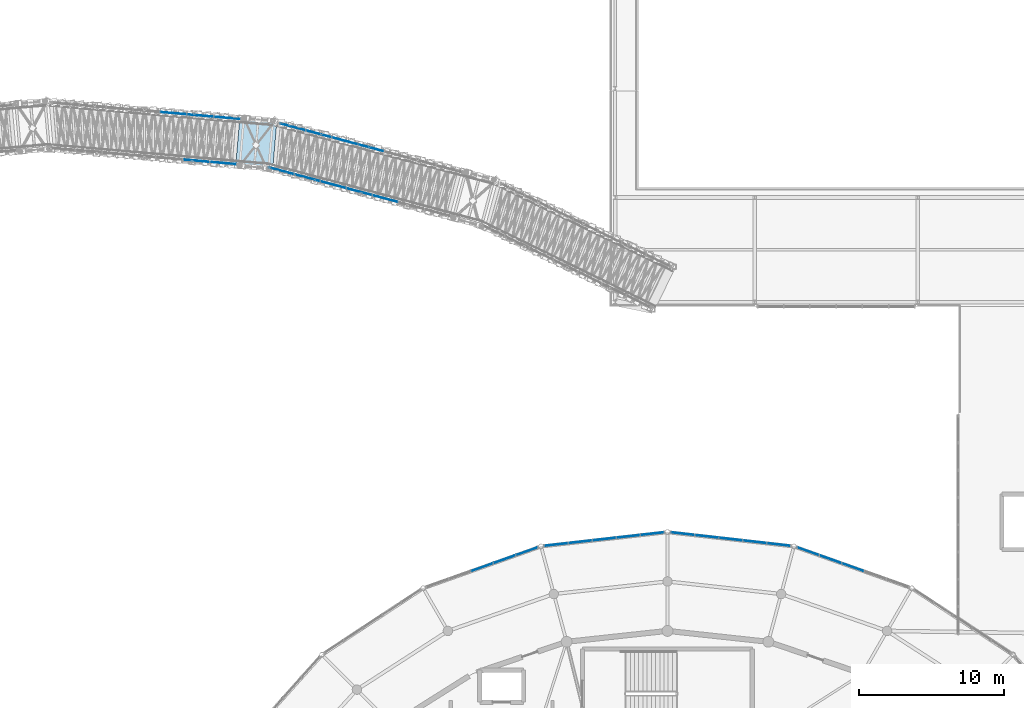
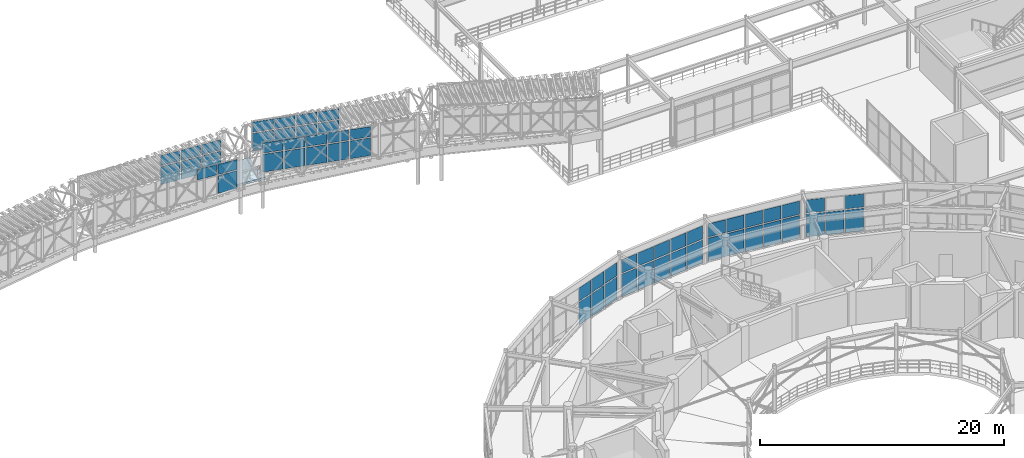
# One storey, part 88 of 144: 58 plates, 1 slab, 9 elements without a shape of their own.
"""IFC4 building model written with IfcOpenShell, lengths in metres."""

from ifc_helpers import new_model, si_unit, direction, frame, origin, origin_2d, place, context, subcontext, project, spatial, polyline, rectangle, outline, extrude, material, layer, layer_set, type_object, element, aggregate, save


model = new_model("IFC4")

# Units and contexts
model_context = context("Model", 3, precision=1e-05, world=origin(), true_north=direction((0.0, 1.0)))
body_context = subcontext(model_context, "Body", "Model", "MODEL_VIEW")
ifc_project = project(units=[si_unit("LENGTHUNIT", "METRE"), si_unit("AREAUNIT", "SQUARE_METRE"), si_unit("VOLUMEUNIT", "CUBIC_METRE"), si_unit("PLANEANGLEUNIT", "RADIAN"), si_unit("MASSUNIT", "GRAM", prefix="KILO")], contexts=[model_context])

# Site, building, storey
site_placement = place(None, origin())
site = spatial("IfcSite", under=ifc_project, at=site_placement, CompositionType="ELEMENT")
building_placement = place(site_placement, origin())
building = spatial("IfcBuilding", under=site, at=building_placement, Name="Cinderbank Siding Concert Hall", CompositionType="ELEMENT")
storey_placement = place(building_placement, frame((0.0, 0.0, 5.39990234375)))
storey = spatial("IfcBuildingStorey", under=building, at=storey_placement, Name="L02", CompositionType="ELEMENT", Elevation=5.39990234375)

# Curtain wall, plates
ifc_material_1 = material(Name="Anodised aluminium alloy 6063-T6", Category="aluminium")
curtain_wall_type_1 = type_object("IfcCurtainWallType", Name="CW-08 Unitised Acoustic Curtain Wall 6400x3800", PredefinedType="NOTDEFINED", material=ifc_material_1)
curtain_wall_1_placement = place(storey_placement, origin())
curtain_wall_1 = element("IfcCurtainWall", 1, at=curtain_wall_1_placement, inside=storey, type_object=curtain_wall_type_1, Name="L02 Curtain Wall CW-08 #8", PredefinedType="NOTDEFINED")
ifc_material_2 = material(Name="Double-glazed laminated acoustic glass", Category="glass")
ifc_layer_1 = layer(ifc_material_2, 0.035888671875)
ifc_layer_set_1 = layer_set([ifc_layer_1], Name="Double-glazed laminated acoustic glass")
plate_type_1 = type_object("IfcPlateType", Name="CP-01 Glazed Curtain Panel 1800x2200", PredefinedType="CURTAIN_PANEL", material=ifc_layer_set_1)
plate_1_placement = place(storey_placement, frame((112.322265625, 71.47021484375, 0.1201171875), z_axis=(0.0, 0.0, 1.0), x_axis=(-0.942365662238, -0.334584755532, 0.0)))
plate_1 = element("IfcPlate", 2, at=plate_1_placement, type_object=plate_type_1, Name="CW-L02-008 Glazed Panel 0-0", PredefinedType="CURTAIN_PANEL", context=body_context, shape_type="SweptSolid", body=[
    extrude(rectangle(XDim=1.529052734375, YDim=0.035888671875, at=origin_2d()), origin(), (0.0, 0.0, 1.0), 2.26708984375),
])
plate_2_placement = place(storey_placement, frame((112.322265625, 71.47021484375, 2.50732421875), z_axis=(0.0, 0.0, 1.0), x_axis=(-0.942365662238, -0.334584755532, 0.0)))
plate_2 = element("IfcPlate", 3, at=plate_2_placement, type_object=plate_type_1, Name="CW-L02-008 Glazed Panel 0-1", PredefinedType="CURTAIN_PANEL", context=body_context, shape_type="SweptSolid", body=[
    extrude(rectangle(XDim=1.529052734375, YDim=0.035888671875, at=origin_2d()), origin(), (0.0, 0.0, 1.0), 1.31982421875),
])
plate_3_placement = place(storey_placement, frame((110.787109375, 70.92529296875, 0.1201171875), z_axis=(0.0, 0.0, 1.0), x_axis=(-0.942365662238, -0.334584755532, 0.0)))
plate_3 = element("IfcPlate", 4, at=plate_3_placement, type_object=plate_type_1, Name="CW-L02-008 Glazed Panel 1-0", PredefinedType="CURTAIN_PANEL", context=body_context, shape_type="SweptSolid", body=[
    extrude(rectangle(XDim=1.529052734375, YDim=0.035888671875, at=origin_2d()), origin(), (0.0, 0.0, 1.0), 2.26708984375),
])
plate_4_placement = place(storey_placement, frame((110.787109375, 70.92529296875, 2.50732421875), z_axis=(0.0, 0.0, 1.0), x_axis=(-0.942365662238, -0.334584755532, 0.0)))
plate_4 = element("IfcPlate", 5, at=plate_4_placement, type_object=plate_type_1, Name="CW-L02-008 Glazed Panel 1-1", PredefinedType="CURTAIN_PANEL", context=body_context, shape_type="SweptSolid", body=[
    extrude(rectangle(XDim=1.529052734375, YDim=0.035888671875, at=origin_2d()), origin(), (0.0, 0.0, 1.0), 1.31982421875),
])
plate_5_placement = place(storey_placement, frame((109.251953125, 70.380126953125, 0.1201171875), z_axis=(0.0, 0.0, 1.0), x_axis=(-0.942365662238, -0.334584755532, 0.0)))
plate_5 = element("IfcPlate", 6, at=plate_5_placement, type_object=plate_type_1, Name="CW-L02-008 Glazed Panel 2-0", PredefinedType="CURTAIN_PANEL", context=body_context, shape_type="SweptSolid", body=[
    extrude(rectangle(XDim=1.529052734375, YDim=0.035888671875, at=origin_2d()), origin(), (0.0, 0.0, 1.0), 2.26708984375),
])
plate_6_placement = place(storey_placement, frame((109.251953125, 70.380126953125, 2.50732421875), z_axis=(0.0, 0.0, 1.0), x_axis=(-0.942365662238, -0.334584755532, 0.0)))
plate_6 = element("IfcPlate", 7, at=plate_6_placement, type_object=plate_type_1, Name="CW-L02-008 Glazed Panel 2-1", PredefinedType="CURTAIN_PANEL", context=body_context, shape_type="SweptSolid", body=[
    extrude(rectangle(XDim=1.529052734375, YDim=0.035888671875, at=origin_2d()), origin(), (0.0, 0.0, 1.0), 1.31982421875),
])
aggregate(curtain_wall_1, [plate_1, plate_2, plate_3, plate_4, plate_5, plate_6])

curtain_wall_type_2 = type_object("IfcCurtainWallType", Name="CW-15 Unitised Acoustic Curtain Wall 12800x3200", PredefinedType="NOTDEFINED", material=ifc_material_1)
curtain_wall_2_placement = place(storey_placement, origin())
curtain_wall_2 = element("IfcCurtainWall", 8, at=curtain_wall_2_placement, inside=storey, type_object=curtain_wall_type_2, Name="L02 Curtain Wall CW-15 #160", PredefinedType="NOTDEFINED")
plate_7_placement = place(storey_placement, frame((95.430419921875, 97.640380859375, 3.480224609375), z_axis=(0.0, 0.0, 1.0), x_axis=(0.96592613165, -0.258817905479, 0.0)))
plate_7 = element("IfcPlate", 9, at=plate_7_placement, type_object=plate_type_1, Name="CW-L02-160 Glazed Panel 0-0", PredefinedType="CURTAIN_PANEL", context=body_context, shape_type="SweptSolid", body=[
    extrude(rectangle(XDim=1.755126953125, YDim=0.035888671875, at=origin_2d()), origin(), (0.0, 0.0, 1.0), 1.77294921875),
])
plate_8_placement = place(storey_placement, frame((95.430419921875, 97.640380859375, 5.373046875), z_axis=(0.0, 0.0, 1.0), x_axis=(0.96592613165, -0.258817905479, 0.0)))
plate_8 = element("IfcPlate", 10, at=plate_8_placement, type_object=plate_type_1, Name="CW-L02-160 Glazed Panel 0-1", PredefinedType="CURTAIN_PANEL", context=body_context, shape_type="SweptSolid", body=[
    extrude(rectangle(XDim=1.755126953125, YDim=0.035888671875, at=origin_2d()), origin(), (0.0, 0.0, 1.0), 1.01708984375),
])
plate_9_placement = place(storey_placement, frame((97.222412109375, 97.160400390625, 3.480224609375), z_axis=(0.0, 0.0, 1.0), x_axis=(0.96592613165, -0.258817905479, 0.0)))
plate_9 = element("IfcPlate", 11, at=plate_9_placement, type_object=plate_type_1, Name="CW-L02-160 Glazed Panel 1-0", PredefinedType="CURTAIN_PANEL", context=body_context, shape_type="SweptSolid", body=[
    extrude(rectangle(XDim=1.755126953125, YDim=0.035888671875, at=origin_2d()), origin(), (0.0, 0.0, 1.0), 1.77294921875),
])
plate_10_placement = place(storey_placement, frame((97.222412109375, 97.160400390625, 5.373046875), z_axis=(0.0, 0.0, 1.0), x_axis=(0.96592613165, -0.258817905479, 0.0)))
plate_10 = element("IfcPlate", 12, at=plate_10_placement, type_object=plate_type_1, Name="CW-L02-160 Glazed Panel 1-1", PredefinedType="CURTAIN_PANEL", context=body_context, shape_type="SweptSolid", body=[
    extrude(rectangle(XDim=1.755126953125, YDim=0.035888671875, at=origin_2d()), origin(), (0.0, 0.0, 1.0), 1.01708984375),
])
plate_11_placement = place(storey_placement, frame((99.014404296875, 96.68017578125, 3.480224609375), z_axis=(0.0, 0.0, 1.0), x_axis=(0.96592613165, -0.258817905479, 0.0)))
plate_11 = element("IfcPlate", 13, at=plate_11_placement, type_object=plate_type_1, Name="CW-L02-160 Glazed Panel 2-0", PredefinedType="CURTAIN_PANEL", context=body_context, shape_type="SweptSolid", body=[
    extrude(rectangle(XDim=1.755126953125, YDim=0.035888671875, at=origin_2d()), origin(), (0.0, 0.0, 1.0), 1.77294921875),
])
plate_12_placement = place(storey_placement, frame((99.014404296875, 96.68017578125, 5.373046875), z_axis=(0.0, 0.0, 1.0), x_axis=(0.96592613165, -0.258817905479, 0.0)))
plate_12 = element("IfcPlate", 14, at=plate_12_placement, type_object=plate_type_1, Name="CW-L02-160 Glazed Panel 2-1", PredefinedType="CURTAIN_PANEL", context=body_context, shape_type="SweptSolid", body=[
    extrude(rectangle(XDim=1.755126953125, YDim=0.035888671875, at=origin_2d()), origin(), (0.0, 0.0, 1.0), 1.01708984375),
])
plate_13_placement = place(storey_placement, frame((100.80615234375, 96.199951171875, 3.480224609375), z_axis=(0.0, 0.0, 1.0), x_axis=(0.96592613165, -0.258817905479, 0.0)))
plate_13 = element("IfcPlate", 15, at=plate_13_placement, type_object=plate_type_1, Name="CW-L02-160 Glazed Panel 3-0", PredefinedType="CURTAIN_PANEL", context=body_context, shape_type="SweptSolid", body=[
    extrude(rectangle(XDim=1.755126953125, YDim=0.035888671875, at=origin_2d()), origin(), (0.0, 0.0, 1.0), 1.77294921875),
])
plate_14_placement = place(storey_placement, frame((100.80615234375, 96.199951171875, 5.373046875), z_axis=(0.0, 0.0, 1.0), x_axis=(0.96592613165, -0.258817905479, 0.0)))
plate_14 = element("IfcPlate", 16, at=plate_14_placement, type_object=plate_type_1, Name="CW-L02-160 Glazed Panel 3-1", PredefinedType="CURTAIN_PANEL", context=body_context, shape_type="SweptSolid", body=[
    extrude(rectangle(XDim=1.755126953125, YDim=0.035888671875, at=origin_2d()), origin(), (0.0, 0.0, 1.0), 1.01708984375),
])
plate_15_placement = place(storey_placement, frame((102.59814453125, 95.719970703125, 3.480224609375), z_axis=(0.0, 0.0, 1.0), x_axis=(0.96592613165, -0.258817905479, 0.0)))
plate_15 = element("IfcPlate", 17, at=plate_15_placement, type_object=plate_type_1, Name="CW-L02-160 Glazed Panel 4-0", PredefinedType="CURTAIN_PANEL", context=body_context, shape_type="SweptSolid", body=[
    extrude(rectangle(XDim=1.755126953125, YDim=0.035888671875, at=origin_2d()), origin(), (0.0, 0.0, 1.0), 1.77294921875),
])
plate_16_placement = place(storey_placement, frame((102.59814453125, 95.719970703125, 5.373046875), z_axis=(0.0, 0.0, 1.0), x_axis=(0.96592613165, -0.258817905479, 0.0)))
plate_16 = element("IfcPlate", 18, at=plate_16_placement, type_object=plate_type_1, Name="CW-L02-160 Glazed Panel 4-1", PredefinedType="CURTAIN_PANEL", context=body_context, shape_type="SweptSolid", body=[
    extrude(rectangle(XDim=1.755126953125, YDim=0.035888671875, at=origin_2d()), origin(), (0.0, 0.0, 1.0), 1.01708984375),
])
aggregate(curtain_wall_2, [plate_7, plate_8, plate_9, plate_10, plate_11, plate_12, plate_13, plate_14, plate_15, plate_16])

curtain_wall_type_3 = type_object("IfcCurtainWallType", Name="CW-05 Unitised Acoustic Curtain Wall 8200x3800", PredefinedType="NOTDEFINED", material=ifc_material_1)
curtain_wall_3_placement = place(storey_placement, origin())
curtain_wall_3 = element("IfcCurtainWall", 19, at=curtain_wall_3_placement, inside=storey, type_object=curtain_wall_type_3, Name="L02 Curtain Wall CW-05 #5", PredefinedType="NOTDEFINED")
ifc_layer_2 = layer(ifc_material_2, 0.0380859375)
ifc_layer_set_2 = layer_set([ifc_layer_2], Name="Double-glazed laminated acoustic glass")
plate_type_2 = type_object("IfcPlateType", Name="CP-06 Glazed Curtain Panel 2100x1600", PredefinedType="CURTAIN_PANEL", material=ifc_layer_set_2)
plate_17_placement = place(storey_placement, frame((134.748291015625, 70.380126953125, 0.1201171875), z_axis=(0.0, 0.0, 1.0), x_axis=(-0.942365662238, 0.334584755532, 0.0)))
plate_17 = element("IfcPlate", 20, at=plate_17_placement, type_object=plate_type_2, Name="CW-L02-005 Glazed Panel 2-0", PredefinedType="CURTAIN_PANEL", context=body_context, shape_type="SweptSolid", body=[
    extrude(rectangle(XDim=1.529052734375, YDim=0.035888671875, at=origin_2d()), origin(), (0.0, 0.0, 1.0), 2.260986328125),
])
plate_18_placement = place(storey_placement, frame((134.748291015625, 70.380126953125, 2.5009765625), z_axis=(0.0, 0.0, 1.0), x_axis=(-0.942365662238, 0.334584755532, 0.0)))
plate_18 = element("IfcPlate", 21, at=plate_18_placement, type_object=plate_type_2, Name="CW-L02-005 Glazed Panel 2-1", PredefinedType="CURTAIN_PANEL", context=body_context, shape_type="SweptSolid", body=[
    extrude(rectangle(XDim=1.529052734375, YDim=0.035888671875, at=origin_2d()), origin(), (0.0, 0.0, 1.0), 1.316162109375),
])
plate_19_placement = place(storey_placement, frame((133.212890625, 70.92529296875, 0.1201171875), z_axis=(0.0, 0.0, 1.0), x_axis=(-0.942365662238, 0.334584755532, 0.0)))
plate_19 = element("IfcPlate", 22, at=plate_19_placement, type_object=plate_type_2, Name="CW-L02-005 Glazed Panel 3-0", PredefinedType="CURTAIN_PANEL", context=body_context, shape_type="SweptSolid", body=[
    extrude(rectangle(XDim=1.529052734375, YDim=0.035888671875, at=origin_2d()), origin(), (0.0, 0.0, 1.0), 2.260986328125),
])
plate_20_placement = place(storey_placement, frame((131.677734375, 71.47021484375, 0.1201171875), z_axis=(0.0, 0.0, 1.0), x_axis=(-0.942365662238, 0.334584755532, 0.0)))
plate_20 = element("IfcPlate", 23, at=plate_20_placement, type_object=plate_type_2, Name="CW-L02-005 Glazed Panel 4-0", PredefinedType="CURTAIN_PANEL", context=body_context, shape_type="SweptSolid", body=[
    extrude(rectangle(XDim=1.529052734375, YDim=0.035888671875, at=origin_2d()), origin(), (0.0, 0.0, 1.0), 2.260986328125),
])
plate_21_placement = place(storey_placement, frame((131.677734375, 71.47021484375, 2.5009765625), z_axis=(0.0, 0.0, 1.0), x_axis=(-0.942365662238, 0.334584755532, 0.0)))
plate_21 = element("IfcPlate", 24, at=plate_21_placement, type_object=plate_type_2, Name="CW-L02-005 Glazed Panel 4-1", PredefinedType="CURTAIN_PANEL", context=body_context, shape_type="SweptSolid", body=[
    extrude(rectangle(XDim=1.529052734375, YDim=0.035888671875, at=origin_2d()), origin(), (0.0, 0.0, 1.0), 1.316162109375),
])
aggregate(curtain_wall_3, [plate_17, plate_18, plate_19, plate_20, plate_21])

curtain_wall_4_placement = place(storey_placement, origin())
curtain_wall_4 = element("IfcCurtainWall", 25, at=curtain_wall_4_placement, inside=storey, type_object=curtain_wall_type_2, Name="L02 Curtain Wall CW-15 #157", PredefinedType="NOTDEFINED")
plate_22_placement = place(storey_placement, frame((88.01611328125, 101.598388671875, 2.52001953125), z_axis=(0.0, 0.0, 1.0), x_axis=(0.996194549296, -0.08715744348, 0.0)))
plate_22 = element("IfcPlate", 26, at=plate_22_placement, type_object=plate_type_2, Name="CW-L02-157 Glazed Panel 4-0", PredefinedType="CURTAIN_PANEL", context=body_context, shape_type="SweptSolid", body=[
    extrude(rectangle(XDim=1.755126953125, YDim=0.035888671875, at=origin_2d()), origin(), (0.0, 0.0, 1.0), 1.77294921875),
])
plate_23_placement = place(storey_placement, frame((88.01611328125, 101.598388671875, 4.4130859375), z_axis=(0.0, 0.0, 1.0), x_axis=(0.996194549296, -0.08715744348, 0.0)))
plate_23 = element("IfcPlate", 27, at=plate_23_placement, type_object=plate_type_2, Name="CW-L02-157 Glazed Panel 4-1", PredefinedType="CURTAIN_PANEL", context=body_context, shape_type="SweptSolid", body=[
    extrude(rectangle(XDim=1.755126953125, YDim=0.035888671875, at=origin_2d()), origin(), (0.0, 0.0, 1.0), 1.01708984375),
])
plate_24_placement = place(storey_placement, frame((89.8642578125, 101.436767578125, 2.52001953125), z_axis=(0.0, 0.0, 1.0), x_axis=(0.996194549296, -0.08715744348, 0.0)))
plate_24 = element("IfcPlate", 28, at=plate_24_placement, type_object=plate_type_2, Name="CW-L02-157 Glazed Panel 5-0", PredefinedType="CURTAIN_PANEL", context=body_context, shape_type="SweptSolid", body=[
    extrude(rectangle(XDim=1.755126953125, YDim=0.035888671875, at=origin_2d()), origin(), (0.0, 0.0, 1.0), 1.77294921875),
])
plate_25_placement = place(storey_placement, frame((89.8642578125, 101.436767578125, 4.4130859375), z_axis=(0.0, 0.0, 1.0), x_axis=(0.996194549296, -0.08715744348, 0.0)))
plate_25 = element("IfcPlate", 29, at=plate_25_placement, type_object=plate_type_2, Name="CW-L02-157 Glazed Panel 5-1", PredefinedType="CURTAIN_PANEL", context=body_context, shape_type="SweptSolid", body=[
    extrude(rectangle(XDim=1.755126953125, YDim=0.035888671875, at=origin_2d()), origin(), (0.0, 0.0, 1.0), 1.01708984375),
])
plate_26_placement = place(storey_placement, frame((91.71240234375, 101.275146484375, 2.52001953125), z_axis=(0.0, 0.0, 1.0), x_axis=(0.996194549296, -0.08715744348, 0.0)))
plate_26 = element("IfcPlate", 30, at=plate_26_placement, type_object=plate_type_2, Name="CW-L02-157 Glazed Panel 6-0", PredefinedType="CURTAIN_PANEL", context=body_context, shape_type="SweptSolid", body=[
    extrude(rectangle(XDim=1.755126953125, YDim=0.035888671875, at=origin_2d()), origin(), (0.0, 0.0, 1.0), 1.77294921875),
])
plate_27_placement = place(storey_placement, frame((91.71240234375, 101.275146484375, 4.4130859375), z_axis=(0.0, 0.0, 1.0), x_axis=(0.996194549296, -0.08715744348, 0.0)))
plate_27 = element("IfcPlate", 31, at=plate_27_placement, type_object=plate_type_2, Name="CW-L02-157 Glazed Panel 6-1", PredefinedType="CURTAIN_PANEL", context=body_context, shape_type="SweptSolid", body=[
    extrude(rectangle(XDim=1.755126953125, YDim=0.035888671875, at=origin_2d()), origin(), (0.0, 0.0, 1.0), 1.01708984375),
])
aggregate(curtain_wall_4, [plate_22, plate_23, plate_24, plate_25, plate_26, plate_27])

curtain_wall_type_4 = type_object("IfcCurtainWallType", Name="CW-06 Unitised Acoustic Curtain Wall 7600x3800", PredefinedType="NOTDEFINED", material=ifc_material_1)
curtain_wall_5_placement = place(storey_placement, origin())
curtain_wall_5 = element("IfcCurtainWall", 32, at=curtain_wall_5_placement, inside=storey, type_object=curtain_wall_type_4, Name="L02 Curtain Wall CW-06 #6", PredefinedType="NOTDEFINED")
ifc_layer_3 = layer(ifc_material_2, 0.033935546875)
ifc_layer_set_3 = layer_set([ifc_layer_3], Name="Double-glazed laminated acoustic glass")
plate_type_3 = type_object("IfcPlateType", Name="CP-07 Glazed Curtain Panel 1500x1750", PredefinedType="CURTAIN_PANEL", material=ifc_layer_set_3)
plate_28_placement = place(storey_placement, frame((129.646240234375, 71.937255859375, 0.1201171875), z_axis=(0.0, 0.0, 1.0), x_axis=(-0.993693605349, 0.112129472879, 0.0)))
plate_28 = element("IfcPlate", 33, at=plate_28_placement, type_object=plate_type_3, Name="CW-L02-006 Glazed Panel 0-0", PredefinedType="CURTAIN_PANEL", context=body_context, shape_type="SweptSolid", body=[
    extrude(rectangle(XDim=1.5595703125, YDim=0.035888671875, at=origin_2d()), origin(), (0.0, 0.0, 1.0), 2.26708984375),
])
plate_29_placement = place(storey_placement, frame((129.646240234375, 71.937255859375, 2.50732421875), z_axis=(0.0, 0.0, 1.0), x_axis=(-0.993693605349, 0.112129472879, 0.0)))
plate_29 = element("IfcPlate", 34, at=plate_29_placement, type_object=plate_type_3, Name="CW-L02-006 Glazed Panel 0-1", PredefinedType="CURTAIN_PANEL", context=body_context, shape_type="SweptSolid", body=[
    extrude(rectangle(XDim=1.5595703125, YDim=0.035888671875, at=origin_2d()), origin(), (0.0, 0.0, 1.0), 1.31982421875),
])
plate_30_placement = place(storey_placement, frame((127.997314453125, 72.123291015625, 0.1201171875), z_axis=(0.0, 0.0, 1.0), x_axis=(-0.993693605349, 0.112129472879, 0.0)))
plate_30 = element("IfcPlate", 35, at=plate_30_placement, type_object=plate_type_3, Name="CW-L02-006 Glazed Panel 1-0", PredefinedType="CURTAIN_PANEL", context=body_context, shape_type="SweptSolid", body=[
    extrude(rectangle(XDim=1.5595703125, YDim=0.035888671875, at=origin_2d()), origin(), (0.0, 0.0, 1.0), 2.26708984375),
])
plate_31_placement = place(storey_placement, frame((127.997314453125, 72.123291015625, 2.50732421875), z_axis=(0.0, 0.0, 1.0), x_axis=(-0.993693605349, 0.112129472879, 0.0)))
plate_31 = element("IfcPlate", 36, at=plate_31_placement, type_object=plate_type_3, Name="CW-L02-006 Glazed Panel 1-1", PredefinedType="CURTAIN_PANEL", context=body_context, shape_type="SweptSolid", body=[
    extrude(rectangle(XDim=1.5595703125, YDim=0.035888671875, at=origin_2d()), origin(), (0.0, 0.0, 1.0), 1.31982421875),
])
plate_32_placement = place(storey_placement, frame((126.34814453125, 72.309326171875, 0.1201171875), z_axis=(0.0, 0.0, 1.0), x_axis=(-0.993693605349, 0.112129472879, 0.0)))
plate_32 = element("IfcPlate", 37, at=plate_32_placement, type_object=plate_type_3, Name="CW-L02-006 Glazed Panel 2-0", PredefinedType="CURTAIN_PANEL", context=body_context, shape_type="SweptSolid", body=[
    extrude(rectangle(XDim=1.5595703125, YDim=0.035888671875, at=origin_2d()), origin(), (0.0, 0.0, 1.0), 2.26708984375),
])
plate_33_placement = place(storey_placement, frame((126.34814453125, 72.309326171875, 2.50732421875), z_axis=(0.0, 0.0, 1.0), x_axis=(-0.993693605349, 0.112129472879, 0.0)))
plate_33 = element("IfcPlate", 38, at=plate_33_placement, type_object=plate_type_3, Name="CW-L02-006 Glazed Panel 2-1", PredefinedType="CURTAIN_PANEL", context=body_context, shape_type="SweptSolid", body=[
    extrude(rectangle(XDim=1.5595703125, YDim=0.035888671875, at=origin_2d()), origin(), (0.0, 0.0, 1.0), 1.31982421875),
])
plate_34_placement = place(storey_placement, frame((124.69921875, 72.495361328125, 0.1201171875), z_axis=(0.0, 0.0, 1.0), x_axis=(-0.993693605349, 0.112129472879, 0.0)))
plate_34 = element("IfcPlate", 39, at=plate_34_placement, type_object=plate_type_3, Name="CW-L02-006 Glazed Panel 3-0", PredefinedType="CURTAIN_PANEL", context=body_context, shape_type="SweptSolid", body=[
    extrude(rectangle(XDim=1.5595703125, YDim=0.035888671875, at=origin_2d()), origin(), (0.0, 0.0, 1.0), 2.26708984375),
])
plate_35_placement = place(storey_placement, frame((124.69921875, 72.495361328125, 2.50732421875), z_axis=(0.0, 0.0, 1.0), x_axis=(-0.993693605349, 0.112129472879, 0.0)))
plate_35 = element("IfcPlate", 40, at=plate_35_placement, type_object=plate_type_3, Name="CW-L02-006 Glazed Panel 3-1", PredefinedType="CURTAIN_PANEL", context=body_context, shape_type="SweptSolid", body=[
    extrude(rectangle(XDim=1.5595703125, YDim=0.035888671875, at=origin_2d()), origin(), (0.0, 0.0, 1.0), 1.31982421875),
])
plate_36_placement = place(storey_placement, frame((123.050048828125, 72.681396484375, 0.1201171875), z_axis=(0.0, 0.0, 1.0), x_axis=(-0.993693605349, 0.112129472879, 0.0)))
plate_36 = element("IfcPlate", 41, at=plate_36_placement, type_object=plate_type_3, Name="CW-L02-006 Glazed Panel 4-0", PredefinedType="CURTAIN_PANEL", context=body_context, shape_type="SweptSolid", body=[
    extrude(rectangle(XDim=1.5595703125, YDim=0.035888671875, at=origin_2d()), origin(), (0.0, 0.0, 1.0), 2.26708984375),
])
plate_37_placement = place(storey_placement, frame((123.050048828125, 72.681396484375, 2.50732421875), z_axis=(0.0, 0.0, 1.0), x_axis=(-0.993693605349, 0.112129472879, 0.0)))
plate_37 = element("IfcPlate", 42, at=plate_37_placement, type_object=plate_type_3, Name="CW-L02-006 Glazed Panel 4-1", PredefinedType="CURTAIN_PANEL", context=body_context, shape_type="SweptSolid", body=[
    extrude(rectangle(XDim=1.5595703125, YDim=0.035888671875, at=origin_2d()), origin(), (0.0, 0.0, 1.0), 1.31982421875),
])
aggregate(curtain_wall_5, [plate_28, plate_29, plate_30, plate_31, plate_32, plate_33, plate_34, plate_35, plate_36, plate_37])

curtain_wall_6_placement = place(storey_placement, origin())
curtain_wall_6 = element("IfcCurtainWall", 43, at=curtain_wall_6_placement, inside=storey, type_object=curtain_wall_type_2, Name="L02 Curtain Wall CW-15 #158", PredefinedType="NOTDEFINED")
plate_38_placement = place(storey_placement, frame((89.59228515625, 98.32861328125, 4.4130859375), z_axis=(0.0, 0.0, 1.0), x_axis=(0.996194549296, -0.08715744348, 0.0)))
plate_38 = element("IfcPlate", 44, at=plate_38_placement, type_object=plate_type_3, Name="CW-L02-158 Glazed Panel 5-1", PredefinedType="CURTAIN_PANEL", context=body_context, shape_type="SweptSolid", body=[
    extrude(rectangle(XDim=1.755126953125, YDim=0.035888671875, at=origin_2d()), origin(), (0.0, 0.0, 1.0), 1.01708984375),
])
plate_39_placement = place(storey_placement, frame((91.4404296875, 98.1669921875, 2.52001953125), z_axis=(0.0, 0.0, 1.0), x_axis=(0.996194549296, -0.08715744348, 0.0)))
plate_39 = element("IfcPlate", 45, at=plate_39_placement, type_object=plate_type_3, Name="CW-L02-158 Glazed Panel 6-0", PredefinedType="CURTAIN_PANEL", context=body_context, shape_type="SweptSolid", body=[
    extrude(rectangle(XDim=1.755126953125, YDim=0.035888671875, at=origin_2d()), origin(), (0.0, 0.0, 1.0), 1.77294921875),
])
plate_40_placement = place(storey_placement, frame((91.4404296875, 98.1669921875, 4.4130859375), z_axis=(0.0, 0.0, 1.0), x_axis=(0.996194549296, -0.08715744348, 0.0)))
plate_40 = element("IfcPlate", 46, at=plate_40_placement, type_object=plate_type_3, Name="CW-L02-158 Glazed Panel 6-1", PredefinedType="CURTAIN_PANEL", context=body_context, shape_type="SweptSolid", body=[
    extrude(rectangle(XDim=1.755126953125, YDim=0.035888671875, at=origin_2d()), origin(), (0.0, 0.0, 1.0), 1.01708984375),
])
aggregate(curtain_wall_6, [plate_38, plate_39, plate_40])

curtain_wall_type_5 = type_object("IfcCurtainWallType", Name="CW-07 Unitised Acoustic Curtain Wall 7000x3800", PredefinedType="NOTDEFINED", material=ifc_material_1)
curtain_wall_7_placement = place(storey_placement, origin())
curtain_wall_7 = element("IfcCurtainWall", 47, at=curtain_wall_7_placement, inside=storey, type_object=curtain_wall_type_5, Name="L02 Curtain Wall CW-07 #7", PredefinedType="NOTDEFINED")
ifc_layer_4 = layer(ifc_material_2, 0.033935546875)
ifc_layer_set_4 = layer_set([ifc_layer_4], Name="Double-glazed laminated acoustic glass")
plate_type_4 = type_object("IfcPlateType", Name="CP-08 Glazed Curtain Panel 1700x1550", PredefinedType="CURTAIN_PANEL", material=ifc_layer_set_4)
plate_41_placement = place(storey_placement, frame((120.949951171875, 72.681396484375, 0.1201171875), z_axis=(0.0, 0.0, 1.0), x_axis=(-0.993693605349, -0.112129472879, 0.0)))
plate_41 = element("IfcPlate", 48, at=plate_41_placement, type_object=plate_type_4, Name="CW-L02-007 Glazed Panel 0-0", PredefinedType="CURTAIN_PANEL", context=body_context, shape_type="SweptSolid", body=[
    extrude(rectangle(XDim=1.5595703125, YDim=0.035888671875, at=origin_2d()), origin(), (0.0, 0.0, 1.0), 2.26708984375),
])
plate_42_placement = place(storey_placement, frame((120.949951171875, 72.681396484375, 2.50732421875), z_axis=(0.0, 0.0, 1.0), x_axis=(-0.993693605349, -0.112129472879, 0.0)))
plate_42 = element("IfcPlate", 49, at=plate_42_placement, type_object=plate_type_4, Name="CW-L02-007 Glazed Panel 0-1", PredefinedType="CURTAIN_PANEL", context=body_context, shape_type="SweptSolid", body=[
    extrude(rectangle(XDim=1.5595703125, YDim=0.035888671875, at=origin_2d()), origin(), (0.0, 0.0, 1.0), 1.31982421875),
])
plate_43_placement = place(storey_placement, frame((119.30078125, 72.495361328125, 0.1201171875), z_axis=(0.0, 0.0, 1.0), x_axis=(-0.993693605349, -0.112129472879, 0.0)))
plate_43 = element("IfcPlate", 50, at=plate_43_placement, type_object=plate_type_4, Name="CW-L02-007 Glazed Panel 1-0", PredefinedType="CURTAIN_PANEL", context=body_context, shape_type="SweptSolid", body=[
    extrude(rectangle(XDim=1.5595703125, YDim=0.035888671875, at=origin_2d()), origin(), (0.0, 0.0, 1.0), 2.26708984375),
])
plate_44_placement = place(storey_placement, frame((119.30078125, 72.495361328125, 2.50732421875), z_axis=(0.0, 0.0, 1.0), x_axis=(-0.993693605349, -0.112129472879, 0.0)))
plate_44 = element("IfcPlate", 51, at=plate_44_placement, type_object=plate_type_4, Name="CW-L02-007 Glazed Panel 1-1", PredefinedType="CURTAIN_PANEL", context=body_context, shape_type="SweptSolid", body=[
    extrude(rectangle(XDim=1.5595703125, YDim=0.035888671875, at=origin_2d()), origin(), (0.0, 0.0, 1.0), 1.31982421875),
])
plate_45_placement = place(storey_placement, frame((117.65185546875, 72.309326171875, 0.1201171875), z_axis=(0.0, 0.0, 1.0), x_axis=(-0.993693605349, -0.112129472879, 0.0)))
plate_45 = element("IfcPlate", 52, at=plate_45_placement, type_object=plate_type_4, Name="CW-L02-007 Glazed Panel 2-0", PredefinedType="CURTAIN_PANEL", context=body_context, shape_type="SweptSolid", body=[
    extrude(rectangle(XDim=1.5595703125, YDim=0.035888671875, at=origin_2d()), origin(), (0.0, 0.0, 1.0), 2.26708984375),
])
plate_46_placement = place(storey_placement, frame((117.65185546875, 72.309326171875, 2.50732421875), z_axis=(0.0, 0.0, 1.0), x_axis=(-0.993693605349, -0.112129472879, 0.0)))
plate_46 = element("IfcPlate", 53, at=plate_46_placement, type_object=plate_type_4, Name="CW-L02-007 Glazed Panel 2-1", PredefinedType="CURTAIN_PANEL", context=body_context, shape_type="SweptSolid", body=[
    extrude(rectangle(XDim=1.5595703125, YDim=0.035888671875, at=origin_2d()), origin(), (0.0, 0.0, 1.0), 1.31982421875),
])
plate_47_placement = place(storey_placement, frame((116.002685546875, 72.123291015625, 0.1201171875), z_axis=(0.0, 0.0, 1.0), x_axis=(-0.993693605349, -0.112129472879, 0.0)))
plate_47 = element("IfcPlate", 54, at=plate_47_placement, type_object=plate_type_4, Name="CW-L02-007 Glazed Panel 3-0", PredefinedType="CURTAIN_PANEL", context=body_context, shape_type="SweptSolid", body=[
    extrude(rectangle(XDim=1.5595703125, YDim=0.035888671875, at=origin_2d()), origin(), (0.0, 0.0, 1.0), 2.26708984375),
])
plate_48_placement = place(storey_placement, frame((116.002685546875, 72.123291015625, 2.50732421875), z_axis=(0.0, 0.0, 1.0), x_axis=(-0.993693605349, -0.112129472879, 0.0)))
plate_48 = element("IfcPlate", 55, at=plate_48_placement, type_object=plate_type_4, Name="CW-L02-007 Glazed Panel 3-1", PredefinedType="CURTAIN_PANEL", context=body_context, shape_type="SweptSolid", body=[
    extrude(rectangle(XDim=1.5595703125, YDim=0.035888671875, at=origin_2d()), origin(), (0.0, 0.0, 1.0), 1.31982421875),
])
plate_49_placement = place(storey_placement, frame((114.353759765625, 71.937255859375, 0.1201171875), z_axis=(0.0, 0.0, 1.0), x_axis=(-0.993693605349, -0.112129472879, 0.0)))
plate_49 = element("IfcPlate", 56, at=plate_49_placement, type_object=plate_type_4, Name="CW-L02-007 Glazed Panel 4-0", PredefinedType="CURTAIN_PANEL", context=body_context, shape_type="SweptSolid", body=[
    extrude(rectangle(XDim=1.5595703125, YDim=0.035888671875, at=origin_2d()), origin(), (0.0, 0.0, 1.0), 2.26708984375),
])
plate_50_placement = place(storey_placement, frame((114.353759765625, 71.937255859375, 2.50732421875), z_axis=(0.0, 0.0, 1.0), x_axis=(-0.993693605349, -0.112129472879, 0.0)))
plate_50 = element("IfcPlate", 57, at=plate_50_placement, type_object=plate_type_4, Name="CW-L02-007 Glazed Panel 4-1", PredefinedType="CURTAIN_PANEL", context=body_context, shape_type="SweptSolid", body=[
    extrude(rectangle(XDim=1.5595703125, YDim=0.035888671875, at=origin_2d()), origin(), (0.0, 0.0, 1.0), 1.31982421875),
])
aggregate(curtain_wall_7, [plate_41, plate_42, plate_43, plate_44, plate_45, plate_46, plate_47, plate_48, plate_49, plate_50])

curtain_wall_8_placement = place(storey_placement, origin())
curtain_wall_8 = element("IfcCurtainWall", 58, at=curtain_wall_8_placement, inside=storey, type_object=curtain_wall_type_2, Name="L02 Curtain Wall CW-15 #159", PredefinedType="NOTDEFINED")
plate_51_placement = place(storey_placement, frame((96.23779296875, 100.654052734375, 3.480224609375), z_axis=(0.0, 0.0, 1.0), x_axis=(0.96592613165, -0.258817905479, 0.0)))
plate_51 = element("IfcPlate", 59, at=plate_51_placement, type_object=plate_type_4, Name="CW-L02-159 Glazed Panel 0-0", PredefinedType="CURTAIN_PANEL", context=body_context, shape_type="SweptSolid", body=[
    extrude(rectangle(XDim=1.755126953125, YDim=0.035888671875, at=origin_2d()), origin(), (0.0, 0.0, 1.0), 1.77294921875),
])
plate_52_placement = place(storey_placement, frame((96.23779296875, 100.654052734375, 5.373046875), z_axis=(0.0, 0.0, 1.0), x_axis=(0.96592613165, -0.258817905479, 0.0)))
plate_52 = element("IfcPlate", 60, at=plate_52_placement, type_object=plate_type_4, Name="CW-L02-159 Glazed Panel 0-1", PredefinedType="CURTAIN_PANEL", context=body_context, shape_type="SweptSolid", body=[
    extrude(rectangle(XDim=1.755126953125, YDim=0.035888671875, at=origin_2d()), origin(), (0.0, 0.0, 1.0), 1.01708984375),
])
plate_53_placement = place(storey_placement, frame((98.02978515625, 100.174072265625, 3.480224609375), z_axis=(0.0, 0.0, 1.0), x_axis=(0.96592613165, -0.258817905479, 0.0)))
plate_53 = element("IfcPlate", 61, at=plate_53_placement, type_object=plate_type_4, Name="CW-L02-159 Glazed Panel 1-0", PredefinedType="CURTAIN_PANEL", context=body_context, shape_type="SweptSolid", body=[
    extrude(rectangle(XDim=1.755126953125, YDim=0.035888671875, at=origin_2d()), origin(), (0.0, 0.0, 1.0), 1.77294921875),
])
plate_54_placement = place(storey_placement, frame((98.02978515625, 100.174072265625, 5.373046875), z_axis=(0.0, 0.0, 1.0), x_axis=(0.96592613165, -0.258817905479, 0.0)))
plate_54 = element("IfcPlate", 62, at=plate_54_placement, type_object=plate_type_4, Name="CW-L02-159 Glazed Panel 1-1", PredefinedType="CURTAIN_PANEL", context=body_context, shape_type="SweptSolid", body=[
    extrude(rectangle(XDim=1.755126953125, YDim=0.035888671875, at=origin_2d()), origin(), (0.0, 0.0, 1.0), 1.01708984375),
])
plate_55_placement = place(storey_placement, frame((99.82177734375, 99.69384765625, 3.480224609375), z_axis=(0.0, 0.0, 1.0), x_axis=(0.96592613165, -0.258817905479, 0.0)))
plate_55 = element("IfcPlate", 63, at=plate_55_placement, type_object=plate_type_4, Name="CW-L02-159 Glazed Panel 2-0", PredefinedType="CURTAIN_PANEL", context=body_context, shape_type="SweptSolid", body=[
    extrude(rectangle(XDim=1.755126953125, YDim=0.035888671875, at=origin_2d()), origin(), (0.0, 0.0, 1.0), 1.77294921875),
])
plate_56_placement = place(storey_placement, frame((99.82177734375, 99.69384765625, 5.373046875), z_axis=(0.0, 0.0, 1.0), x_axis=(0.96592613165, -0.258817905479, 0.0)))
plate_56 = element("IfcPlate", 64, at=plate_56_placement, type_object=plate_type_4, Name="CW-L02-159 Glazed Panel 2-1", PredefinedType="CURTAIN_PANEL", context=body_context, shape_type="SweptSolid", body=[
    extrude(rectangle(XDim=1.755126953125, YDim=0.035888671875, at=origin_2d()), origin(), (0.0, 0.0, 1.0), 1.01708984375),
])
plate_57_placement = place(storey_placement, frame((101.61376953125, 99.213623046875, 3.480224609375), z_axis=(0.0, 0.0, 1.0), x_axis=(0.96592613165, -0.258817905479, 0.0)))
plate_57 = element("IfcPlate", 65, at=plate_57_placement, type_object=plate_type_4, Name="CW-L02-159 Glazed Panel 3-0", PredefinedType="CURTAIN_PANEL", context=body_context, shape_type="SweptSolid", body=[
    extrude(rectangle(XDim=1.755126953125, YDim=0.035888671875, at=origin_2d()), origin(), (0.0, 0.0, 1.0), 1.77294921875),
])
plate_58_placement = place(storey_placement, frame((101.61376953125, 99.213623046875, 5.373046875), z_axis=(0.0, 0.0, 1.0), x_axis=(0.96592613165, -0.258817905479, 0.0)))
plate_58 = element("IfcPlate", 66, at=plate_58_placement, type_object=plate_type_4, Name="CW-L02-159 Glazed Panel 3-1", PredefinedType="CURTAIN_PANEL", context=body_context, shape_type="SweptSolid", body=[
    extrude(rectangle(XDim=1.755126953125, YDim=0.035888671875, at=origin_2d()), origin(), (0.0, 0.0, 1.0), 1.01708984375),
])
aggregate(curtain_wall_8, [plate_51, plate_52, plate_53, plate_54, plate_55, plate_56, plate_57, plate_58])

# Ramp, slab
ifc_material_3 = material(Name="Reinforced concrete AS 3600 N50 (50 MPa)", Category="concrete")
ramp_type = type_object("IfcRampType", Name="RP-BR1 Curving Forecourt Ramp Bridge", PredefinedType="HALF_TURN_RAMP", material=ifc_material_3)
ramp_placement = place(storey_placement, origin())
ramp = element("IfcRamp", 67, at=ramp_placement, inside=storey, type_object=ramp_type, Name="Forecourt Curving 1:14 Accessible Ramp Bridge", PredefinedType="HALF_TURN_RAMP")
ifc_layer_5 = layer(ifc_material_3, 0.199951171875)
ifc_layer_set_5 = layer_set([ifc_layer_5], Name="Reinforced concrete AS 3600 N50 (50 MPa)")
slab_type = type_object("IfcSlabType", Name="LD-01 Slab 200mm", PredefinedType="LANDING", material=ifc_layer_set_5)
slab_placement = place(storey_placement, frame((0.0, 0.0, 2.68017578125)))
slab = element("IfcSlab", 68, at=slab_placement, type_object=slab_type, Name="Bridge Level Landing #6", PredefinedType="LANDING", context=body_context, shape_type="SweptSolid", body=[
    extrude(outline(polyline([(92.311767578125, 98.0908203125), (94.862060546875, 97.86767578125), (95.1337890625, 100.975830078125), (92.58349609375, 101.198974609375), (92.311767578125, 98.0908203125)])), origin(), (0.0, 0.0, 1.0), 0.199951171875),
])
aggregate(ramp, [slab])

save(model, "model.ifc")
